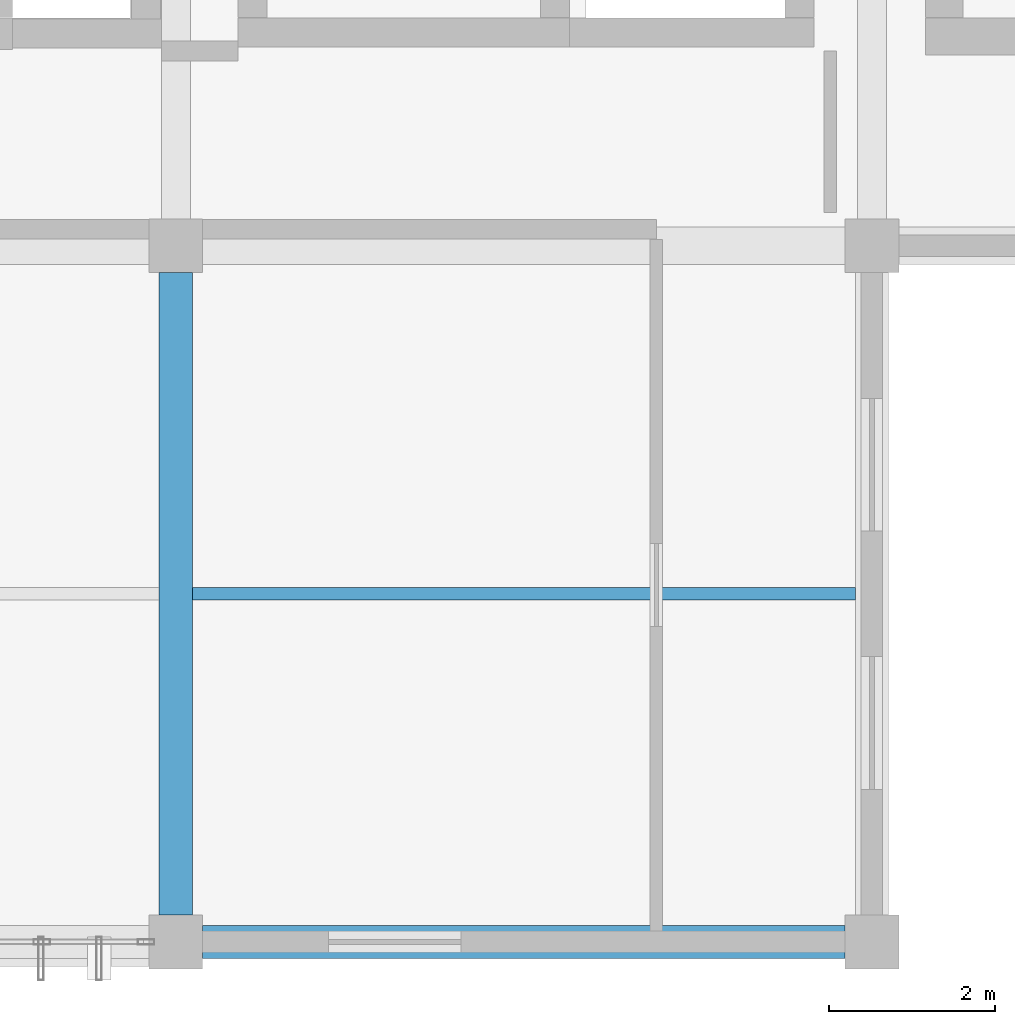
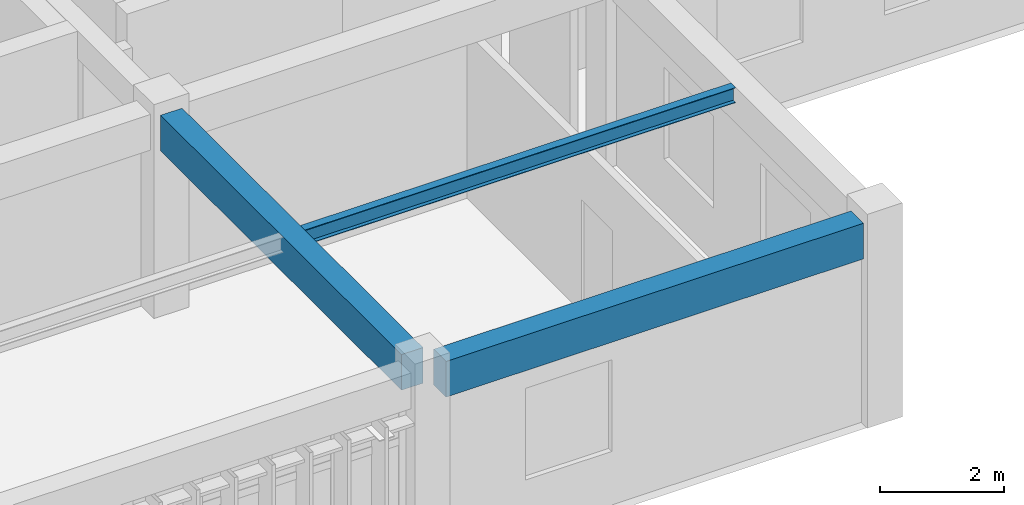
# One storey, part 6 of 22: 3 beams.
"""IFC4 building model written with IfcOpenShell, lengths in metres."""

from ifc_helpers import new_model, si_unit, direction, frame, origin, origin_2d, place, context, subcontext, project, spatial, rectangle, i_section, extrude, material, material_profile, profile_set, type_object, element, save


model = new_model("IFC4")

# Units and contexts
model_context = context("Model", 3, precision=1e-05, world=origin(), true_north=direction((0.0, 1.0)))
body_context = subcontext(model_context, "Body", "Model", "MODEL_VIEW")
ifc_project = project(units=[si_unit("LENGTHUNIT", "METRE"), si_unit("AREAUNIT", "SQUARE_METRE"), si_unit("VOLUMEUNIT", "CUBIC_METRE"), si_unit("PLANEANGLEUNIT", "RADIAN"), si_unit("MASSUNIT", "GRAM", prefix="KILO")], contexts=[model_context])

# Site, building, storey
site_placement = place(None, origin())
site = spatial("IfcSite", under=ifc_project, at=site_placement, CompositionType="ELEMENT")
building_placement = place(site_placement, origin())
building = spatial("IfcBuilding", under=site, at=building_placement, Name="Krzemoval Escarpment Law Courts", CompositionType="ELEMENT")
storey_placement = place(building_placement, frame((0.0, 0.0, 29.39990234375)))
storey = spatial("IfcBuildingStorey", under=building, at=storey_placement, Name="L06", CompositionType="ELEMENT", Elevation=29.39990234375)

# Beams
ifc_material_1 = material(Name="Concrete C40/50", Category="concrete")
ifc_material_profile_1 = material_profile(ifc_material_1, rectangle(XDim=0.39990234375, YDim=0.699951171875, at=origin_2d()), Name="RCB 400x700")
ifc_profile_set_1 = profile_set([ifc_material_profile_1], Name="Concrete C40/50")
beam_type_1 = type_object("IfcBeamType", Name="BM-RC-400x700", PredefinedType="BEAM", material=ifc_profile_set_1)
for number, where, z_axis, x_axis, name in (
    (1, (134.72509765625, 85.199951171875, 3.60009765625), (1.0, 0.0, 0.0), (0.0, 1.0, 0.0), "Beam FG-L06-2635"),
    (2, (134.39990234375, 85.52490234375, 3.60009765625), (0.0, 1.0, 0.0), (-1.0, 0.0, 0.0), "Beam FG-L06-2665"),
):
    element("IfcBeam", number, at=place(storey_placement, frame(where, z_axis=z_axis, x_axis=x_axis)), inside=storey, type_object=beam_type_1, Name=name, PredefinedType="BEAM", context=body_context, shape_type="SweptSolid", body=[
        extrude(rectangle(XDim=0.39990234375, YDim=0.699951171875, at=origin_2d()), origin(), (0.0, 0.0, 1.0), 7.75),
    ])
ifc_material_2 = material(Name="Steel S355", Category="steel")
ifc_material_profile_2 = material_profile(ifc_material_2, i_section(OverallWidth=0.14990234375, OverallDepth=0.300048828125, WebThickness=0.007080078125, FlangeThickness=0.0107421875, at=origin_2d()), Name="IPE 300")
ifc_profile_set_2 = profile_set([ifc_material_profile_2], Name="Steel S355")
beam_type_2 = type_object("IfcBeamType", Name="JST-S355-IPE300", PredefinedType="JOIST", material=ifc_profile_set_2)
beam_placement = place(storey_placement, frame((134.60009765625, 89.39990234375, 3.800048828125), z_axis=(1.0, 0.0, 0.0), x_axis=(0.0, 1.0, 0.0)))
element("IfcBeam", 3, at=beam_placement, inside=storey, type_object=beam_type_2, Name="Secondary Joist FJ-L06-2692", PredefinedType="JOIST", context=body_context, shape_type="SweptSolid", body=[
    extrude(i_section(OverallWidth=0.14990234375, OverallDepth=0.300048828125, WebThickness=0.007080078125, FlangeThickness=0.0107421875, at=origin_2d()), origin(), (0.0, 0.0, 1.0), 8.0),
])

save(model, "model.ifc")
